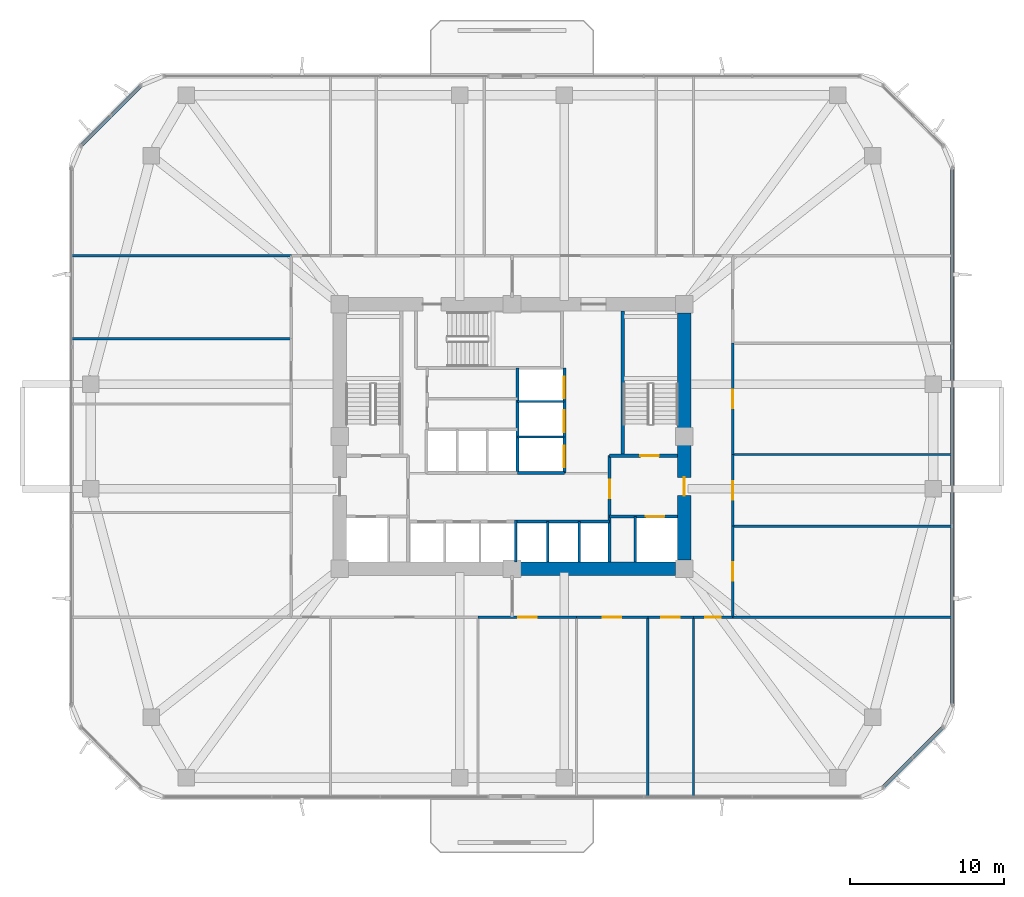
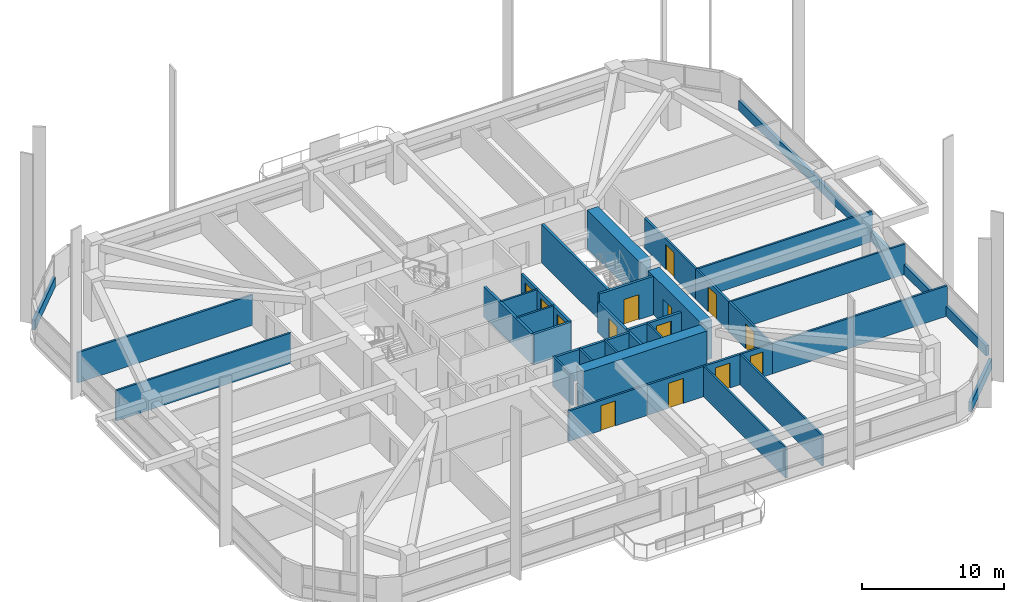
# One storey, part 10 of 17: 34 walls, 14 doors, 14 openings.
"""IFC4 building model written with IfcOpenShell, lengths in metres."""

from ifc_helpers import new_model, si_unit, derived_unit, direction, frame, frame_2d, origin, place, context, subcontext, project, spatial, rectangle, extrude, material, layer, layer_set, type_object, element, fill, save


model = new_model("IFC4")

# Units and contexts
model_context = context("Model", 3, precision=1e-05, world=origin(), true_north=direction((0.0, 1.0)))
body_context = subcontext(model_context, "Body", "Model", "MODEL_VIEW")
ifc_project = project(units=[si_unit("LENGTHUNIT", "METRE"), si_unit("AREAUNIT", "SQUARE_METRE"), si_unit("VOLUMEUNIT", "CUBIC_METRE"), si_unit("PLANEANGLEUNIT", "RADIAN"), si_unit("MASSUNIT", "GRAM", prefix="KILO"), derived_unit("THERMALTRANSMITTANCEUNIT", [(si_unit("POWERUNIT", "WATT"), 1), (si_unit("LENGTHUNIT", "METRE"), -2), (si_unit("THERMODYNAMICTEMPERATUREUNIT", "KELVIN"), -1)])], contexts=[model_context])

# Site, building, storey
site_placement = place(None, origin())
site = spatial("IfcSite", under=ifc_project, at=site_placement, CompositionType="ELEMENT")
building_placement = place(site_placement, origin())
building = spatial("IfcBuilding", under=site, at=building_placement, Name="Koralith Skygarden Medical Center", CompositionType="ELEMENT")
storey_placement = place(building_placement, frame((0.0, 0.0, 38.340087890625)))
storey = spatial("IfcBuildingStorey", under=building, at=storey_placement, Name="L09", CompositionType="ELEMENT", Elevation=38.340087890625)

# Walls
ifc_material_1 = material(Name="Gypsum Board Partition")
ifc_layer_1 = layer(ifc_material_1, 0.14990234375)
ifc_layer_set_1 = layer_set([ifc_layer_1], Name="Gypsum Board Partition")
wall_type_1 = type_object("IfcWallType", Name="Clinical Acoustic Partition 150", PredefinedType="PARTITIONING", material=ifc_layer_set_1)
for number, where, z_axis, x_axis, name in (
    (1, (45.825927734375, 14.14990234375, 0.0), (0.0, 0.0, 1.0), (0.0, -1.0, 0.0), "L09 Clinical Acoustic Partition 150 W-PART-L09-S-04"),
    (2, (48.800048828125, 14.14990234375, 0.0), (0.0, 0.0, 1.0), (0.0, -1.0, 0.0), "L09 Clinical Acoustic Partition 150 W-PART-L09-S-05"),
):
    element("IfcWall", number, at=place(storey_placement, frame(where, z_axis=z_axis, x_axis=x_axis)), inside=storey, type_object=wall_type_1, Name=name, PredefinedType="PARTITIONING", context=body_context, shape_type="SweptSolid", body=[
        extrude(rectangle(XDim=11.64990234375, YDim=0.14990234375, at=frame_2d((5.824951171875, 0.0))), origin(), (0.0, 0.0, 1.0), 2.60986328125),
    ])
for number, where, z_axis, x_axis, name in (
    (3, (22.64990234375, 32.25390625, 0.0), (0.0, 0.0, 1.0), (-1.0, 0.0, 0.0), "L09 Clinical Acoustic Partition 150 W-PART-L09-W-03"),
    (4, (51.35009765625, 20.072021484375, 0.0), (0.0, 0.0, 1.0), (1.0, 0.0, 0.0), "L09 Clinical Acoustic Partition 150 W-PART-L09-E-01"),
    (5, (51.35009765625, 24.72509765625, 0.0), (0.0, 0.0, 1.0), (1.0, 0.0, 0.0), "L09 Clinical Acoustic Partition 150 W-PART-L09-E-02"),
):
    element("IfcWall", number, at=place(storey_placement, frame(where, z_axis=z_axis, x_axis=x_axis)), inside=storey, type_object=wall_type_1, Name=name, PredefinedType="PARTITIONING", context=body_context, shape_type="SweptSolid", body=[
        extrude(rectangle(XDim=14.25, YDim=0.14990234375, at=frame_2d((7.125, 0.0))), origin(), (0.0, 0.0, 1.0), 2.60986328125),
    ])
ifc_layer_2 = layer(ifc_material_1, 0.1650390625)
ifc_layer_set_2 = layer_set([ifc_layer_2], Name="Gypsum Board Partition")
wall_type_2 = type_object("IfcWallType", Name="Clinical Corridor Partition 165", PredefinedType="PARTITIONING", material=ifc_layer_set_2)
for number, where, z_axis, x_axis, name in (
    (6, (8.39990234375, 37.64990234375, 0.0), (0.0, 0.0, 1.0), (1.0, 0.0, 0.0), "L09 Clinical Corridor Partition 165 W-WB-L09-NW"),
    (7, (51.35009765625, 14.14990234375, 0.0), (0.0, 0.0, 1.0), (1.0, 0.0, 0.0), "L09 Clinical Corridor Partition 165 W-WB-L09-SE"),
):
    element("IfcWall", number, at=place(storey_placement, frame(where, z_axis=z_axis, x_axis=x_axis)), inside=storey, type_object=wall_type_2, Name=name, PredefinedType="PARTITIONING", context=body_context, shape_type="SweptSolid", body=[
        extrude(rectangle(XDim=14.25, YDim=0.1650390625, at=frame_2d((7.125, 0.0))), origin(), (0.0, 0.0, 1.0), 2.60986328125),
    ])

# Wall, opening, door
wall_1_placement = place(storey_placement, frame((34.7939453125, 14.14990234375, 0.0), z_axis=(0.0, 0.0, 1.0), x_axis=(1.0, 0.0, 0.0)))
wall_1 = element("IfcWall", 8, at=wall_1_placement, inside=storey, type_object=wall_type_2, Name="L09 Clinical Corridor Partition 165 W-CORR-L09-S-03", PredefinedType="PARTITIONING", context=body_context, shape_type="SweptSolid", body=[
    extrude(rectangle(XDim=6.399169921875, YDim=0.1650390625, at=frame_2d((3.19970703125, 0.0))), origin(), (0.0, 0.0, 1.0), 2.60986328125),
])
opening_1_placement = place(wall_1_placement, frame((2.60009765625, 0.0, 0.0)))
opening_1 = element("IfcOpeningElement", 9, at=opening_1_placement, cuts=wall_1, Name="Opening D-CLN", PredefinedType="OPENING", context=body_context, shape_type="SweptSolid", body=[
    extrude(rectangle(XDim=1.199951171875, YDim=2.14990234375, at=frame_2d((0.60009765625, 1.074951171875))), frame((0.0, 0.092529296875, 0.0), z_axis=(0.0, -1.0, 0.0), x_axis=(1.0, 0.0, 0.0)), (0.0, 0.0, 1.0), 0.18505859375),
])
ifc_material_2 = material(Name="Aluminium 6063-T6", Category="aluminium")
door_type_1 = type_object("IfcDoorType", Name="Clinical Corridor Door D-CLN 1200", OperationType="NOTDEFINED", PredefinedType="DOOR", material=ifc_material_2)
door_1_placement = place(opening_1_placement, frame((1.199951171875, 0.0, 0.0), z_axis=(0.0, 0.0, 1.0), x_axis=(-1.0, 0.0, 0.0)))
door_1 = element("IfcDoor", 10, at=door_1_placement, inside=storey, type_object=door_type_1, Name="L09 Patient and Family Sky-Garden Day Lounge 09 Door", OperationType="SINGLE_SWING_RIGHT", OverallHeight=2.14990234375, OverallWidth=1.199951171875, PredefinedType="DOOR", context=body_context, shape_type="SweptSolid", body=[
    extrude(rectangle(XDim=1.199951171875, YDim=2.14990234375, at=frame_2d((0.60009765625, 1.074951171875))), frame((0.0, 0.02490234375, 0.0), z_axis=(0.0, -1.0, 0.0), x_axis=(1.0, 0.0, 0.0)), (0.0, 0.0, 1.0), 0.050048828125),
])
fill(opening_1, door_1)

wall_2_placement = place(storey_placement, frame((41.193115234375, 14.14990234375, 0.0), z_axis=(0.0, 0.0, 1.0), x_axis=(1.0, 0.0, 0.0)))
wall_2 = element("IfcWall", 11, at=wall_2_placement, inside=storey, type_object=wall_type_2, Name="L09 Clinical Corridor Partition 165 W-CORR-L09-S-04", PredefinedType="PARTITIONING", context=body_context, shape_type="SweptSolid", body=[
    extrude(rectangle(XDim=4.6328125, YDim=0.1650390625, at=frame_2d((2.31640625, 0.0))), origin(), (0.0, 0.0, 1.0), 2.60986328125),
])
opening_2_placement = place(wall_2_placement, frame((1.717041015625, 0.0, 0.0)))
opening_2 = element("IfcOpeningElement", 12, at=opening_2_placement, cuts=wall_2, Name="Opening D-CLN", PredefinedType="OPENING", context=body_context, shape_type="SweptSolid", body=[
    extrude(rectangle(XDim=1.199951171875, YDim=2.14990234375, at=frame_2d((0.60009765625, 1.074951171875))), frame((0.0, 0.092529296875, 0.0), z_axis=(0.0, -1.0, 0.0), x_axis=(1.0, 0.0, 0.0)), (0.0, 0.0, 1.0), 0.18505859375),
])
door_2_placement = place(opening_2_placement, frame((1.199951171875, 0.0, 0.0), z_axis=(0.0, 0.0, 1.0), x_axis=(-1.0, 0.0, 0.0)))
door_2 = element("IfcDoor", 13, at=door_2_placement, inside=storey, type_object=door_type_1, Name="L09 Clinical Consultation Office 10 Door", OperationType="SINGLE_SWING_LEFT", OverallHeight=2.14990234375, OverallWidth=1.199951171875, PredefinedType="DOOR", context=body_context, shape_type="SweptSolid", body=[
    extrude(rectangle(XDim=1.199951171875, YDim=2.14990234375, at=frame_2d((0.60009765625, 1.074951171875))), frame((0.0, 0.02490234375, 0.0), z_axis=(0.0, -1.0, 0.0), x_axis=(1.0, 0.0, 0.0)), (0.0, 0.0, 1.0), 0.050048828125),
])
fill(opening_2, door_2)

wall_3_placement = place(storey_placement, frame((45.825927734375, 14.14990234375, 0.0), z_axis=(0.0, 0.0, 1.0), x_axis=(1.0, 0.0, 0.0)))
wall_3 = element("IfcWall", 14, at=wall_3_placement, inside=storey, type_object=wall_type_2, Name="L09 Clinical Corridor Partition 165 W-CORR-L09-S-05", PredefinedType="PARTITIONING", context=body_context, shape_type="SweptSolid", body=[
    extrude(rectangle(XDim=2.97412109375, YDim=0.1650390625, at=frame_2d((1.487060546875, 0.0))), origin(), (0.0, 0.0, 1.0), 2.60986328125),
])
opening_3_placement = place(wall_3_placement, frame((0.886962890625, 0.0, 0.0)))
opening_3 = element("IfcOpeningElement", 15, at=opening_3_placement, cuts=wall_3, Name="Opening D-CLN", PredefinedType="OPENING", context=body_context, shape_type="SweptSolid", body=[
    extrude(rectangle(XDim=1.199951171875, YDim=2.14990234375, at=frame_2d((0.60009765625, 1.074951171875))), frame((0.0, 0.092529296875, 0.0), z_axis=(0.0, -1.0, 0.0), x_axis=(1.0, 0.0, 0.0)), (0.0, 0.0, 1.0), 0.18505859375),
])
door_3_placement = place(opening_3_placement, frame((1.199951171875, 0.0, 0.0), z_axis=(0.0, 0.0, 1.0), x_axis=(-1.0, 0.0, 0.0)))
door_3 = element("IfcDoor", 16, at=door_3_placement, inside=storey, type_object=door_type_1, Name="L09 Ward Mobility Therapy Exercise Hall 11 Door", OperationType="SINGLE_SWING_RIGHT", OverallHeight=2.14990234375, OverallWidth=1.199951171875, PredefinedType="DOOR", context=body_context, shape_type="SweptSolid", body=[
    extrude(rectangle(XDim=1.199951171875, YDim=2.14990234375, at=frame_2d((0.60009765625, 1.074951171875))), frame((0.0, 0.02490234375, 0.0), z_axis=(0.0, -1.0, 0.0), x_axis=(1.0, 0.0, 0.0)), (0.0, 0.0, 1.0), 0.050048828125),
])
fill(opening_3, door_3)

wall_4_placement = place(storey_placement, frame((48.800048828125, 14.14990234375, 0.0), z_axis=(0.0, 0.0, 1.0), x_axis=(1.0, 0.0, 0.0)))
wall_4 = element("IfcWall", 17, at=wall_4_placement, inside=storey, type_object=wall_type_2, Name="L09 Clinical Corridor Partition 165 W-CORR-L09-S-06", PredefinedType="PARTITIONING", context=body_context, shape_type="SweptSolid", body=[
    extrude(rectangle(XDim=2.550048828125, YDim=0.1650390625, at=frame_2d((1.27490234375, 0.0))), origin(), (0.0, 0.0, 1.0), 2.60986328125),
])
opening_4_placement = place(wall_4_placement, frame((0.77490234375, 0.0, 0.0)))
opening_4 = element("IfcOpeningElement", 18, at=opening_4_placement, cuts=wall_4, Name="Opening D-SUP", PredefinedType="OPENING", context=body_context, shape_type="SweptSolid", body=[
    extrude(rectangle(XDim=1.0, YDim=2.14990234375, at=frame_2d((0.5, 1.074951171875))), frame((0.0, 0.092529296875, 0.0), z_axis=(0.0, -1.0, 0.0), x_axis=(1.0, 0.0, 0.0)), (0.0, 0.0, 1.0), 0.18505859375),
])
door_type_2 = type_object("IfcDoorType", Name="Clinical Support Door D-SUP 1000", OperationType="NOTDEFINED", PredefinedType="DOOR", material=ifc_material_2)
door_4_placement = place(opening_4_placement, frame((1.0, 0.0, 0.0), z_axis=(0.0, 0.0, 1.0), x_axis=(-1.0, 0.0, 0.0)))
door_4 = element("IfcDoor", 19, at=door_4_placement, inside=storey, type_object=door_type_2, Name="L09 Multidisciplinary Clinical Conference Room 12 Door", OperationType="SINGLE_SWING_LEFT", OverallHeight=2.14990234375, OverallWidth=1.0, PredefinedType="DOOR", context=body_context, shape_type="SweptSolid", body=[
    extrude(rectangle(XDim=1.0, YDim=2.14990234375, at=frame_2d((0.5, 1.074951171875))), frame((0.0, 0.02490234375, 0.0), z_axis=(0.0, -1.0, 0.0), x_axis=(1.0, 0.0, 0.0)), (0.0, 0.0, 1.0), 0.050048828125),
])
fill(opening_4, door_4)

wall_5_placement = place(storey_placement, frame((51.35009765625, 14.14990234375, 0.0), z_axis=(0.0, 0.0, 1.0), x_axis=(0.0, 1.0, 0.0)))
wall_5 = element("IfcWall", 20, at=wall_5_placement, inside=storey, type_object=wall_type_2, Name="L09 Clinical Corridor Partition 165 W-CORR-L09-E-01", PredefinedType="PARTITIONING", context=body_context, shape_type="SweptSolid", body=[
    extrude(rectangle(XDim=5.922119140625, YDim=0.1650390625, at=frame_2d((2.9609375, 0.0))), origin(), (0.0, 0.0, 1.0), 2.60986328125),
])
opening_5_placement = place(wall_5_placement, frame((2.361083984375, 0.0, 0.0)))
opening_5 = element("IfcOpeningElement", 21, at=opening_5_placement, cuts=wall_5, Name="Opening D-CLN", PredefinedType="OPENING", context=body_context, shape_type="SweptSolid", body=[
    extrude(rectangle(XDim=1.199951171875, YDim=2.14990234375, at=frame_2d((0.60009765625, 1.074951171875))), frame((0.0, 0.092529296875, 0.0), z_axis=(0.0, -1.0, 0.0), x_axis=(1.0, 0.0, 0.0)), (0.0, 0.0, 1.0), 0.18505859375),
])
door_5_placement = place(opening_5_placement, origin())
door_5 = element("IfcDoor", 22, at=door_5_placement, inside=storey, type_object=door_type_1, Name="L09 Multidisciplinary Huddle Room 17 Door", OperationType="SINGLE_SWING_RIGHT", OverallHeight=2.14990234375, OverallWidth=1.199951171875, PredefinedType="DOOR", context=body_context, shape_type="SweptSolid", body=[
    extrude(rectangle(XDim=1.199951171875, YDim=2.14990234375, at=frame_2d((0.60009765625, 1.074951171875))), frame((0.0, 0.02490234375, 0.0), z_axis=(0.0, -1.0, 0.0), x_axis=(1.0, 0.0, 0.0)), (0.0, 0.0, 1.0), 0.050048828125),
])
fill(opening_5, door_5)

wall_6_placement = place(storey_placement, frame((51.35009765625, 20.072021484375, 0.0), z_axis=(0.0, 0.0, 1.0), x_axis=(0.0, 1.0, 0.0)))
wall_6 = element("IfcWall", 23, at=wall_6_placement, inside=storey, type_object=wall_type_2, Name="L09 Clinical Corridor Partition 165 W-CORR-L09-E-02", PredefinedType="PARTITIONING", context=body_context, shape_type="SweptSolid", body=[
    extrude(rectangle(XDim=4.653076171875, YDim=0.1650390625, at=frame_2d((2.32666015625, 0.0))), origin(), (0.0, 0.0, 1.0), 2.60986328125),
])
opening_6_placement = place(wall_6_placement, frame((1.72705078125, 0.0, 0.0)))
opening_6 = element("IfcOpeningElement", 24, at=opening_6_placement, cuts=wall_6, Name="Opening D-CLN", PredefinedType="OPENING", context=body_context, shape_type="SweptSolid", body=[
    extrude(rectangle(XDim=1.199951171875, YDim=2.14990234375, at=frame_2d((0.60009765625, 1.074951171875))), frame((0.0, 0.092529296875, 0.0), z_axis=(0.0, -1.0, 0.0), x_axis=(1.0, 0.0, 0.0)), (0.0, 0.0, 1.0), 0.18505859375),
])
door_6_placement = place(opening_6_placement, origin())
door_6 = element("IfcDoor", 25, at=door_6_placement, inside=storey, type_object=door_type_1, Name="L09 Clinical Consultation Office 18 Door", OperationType="SINGLE_SWING_LEFT", OverallHeight=2.14990234375, OverallWidth=1.199951171875, PredefinedType="DOOR", context=body_context, shape_type="SweptSolid", body=[
    extrude(rectangle(XDim=1.199951171875, YDim=2.14990234375, at=frame_2d((0.60009765625, 1.074951171875))), frame((0.0, 0.02490234375, 0.0), z_axis=(0.0, -1.0, 0.0), x_axis=(1.0, 0.0, 0.0)), (0.0, 0.0, 1.0), 0.050048828125),
])
fill(opening_6, door_6)

wall_7_placement = place(storey_placement, frame((51.35009765625, 24.72509765625, 0.0), z_axis=(0.0, 0.0, 1.0), x_axis=(0.0, 1.0, 0.0)))
wall_7 = element("IfcWall", 26, at=wall_7_placement, inside=storey, type_object=wall_type_2, Name="L09 Clinical Corridor Partition 165 W-CORR-L09-E-03", PredefinedType="PARTITIONING", context=body_context, shape_type="SweptSolid", body=[
    extrude(rectangle(XDim=7.23779296875, YDim=0.1650390625, at=frame_2d((3.618896484375, 0.0))), origin(), (0.0, 0.0, 1.0), 2.60986328125),
])
opening_7_placement = place(wall_7_placement, frame((3.01904296875, 0.0, 0.0)))
opening_7 = element("IfcOpeningElement", 27, at=opening_7_placement, cuts=wall_7, Name="Opening D-CLN", PredefinedType="OPENING", context=body_context, shape_type="SweptSolid", body=[
    extrude(rectangle(XDim=1.199951171875, YDim=2.14990234375, at=frame_2d((0.60009765625, 1.074951171875))), frame((0.0, 0.092529296875, 0.0), z_axis=(0.0, -1.0, 0.0), x_axis=(1.0, 0.0, 0.0)), (0.0, 0.0, 1.0), 0.18505859375),
])
door_7_placement = place(opening_7_placement, origin())
door_7 = element("IfcDoor", 28, at=door_7_placement, inside=storey, type_object=door_type_1, Name="L09 Ward Mobility Therapy Exercise Hall 19 Door", OperationType="SINGLE_SWING_RIGHT", OverallHeight=2.14990234375, OverallWidth=1.199951171875, PredefinedType="DOOR", context=body_context, shape_type="SweptSolid", body=[
    extrude(rectangle(XDim=1.199951171875, YDim=2.14990234375, at=frame_2d((0.60009765625, 1.074951171875))), frame((0.0, 0.02490234375, 0.0), z_axis=(0.0, -1.0, 0.0), x_axis=(1.0, 0.0, 0.0)), (0.0, 0.0, 1.0), 0.050048828125),
])
fill(opening_7, door_7)

ifc_layer_3 = layer(ifc_material_1, 0.199951171875)
ifc_layer_set_3 = layer_set([ifc_layer_3], Name="Gypsum Board Partition")
wall_type_3 = type_object("IfcWallType", Name="Fire Shaft Wall 200", PredefinedType="SOLIDWALL", material=ifc_layer_set_3)
wall_8_placement = place(storey_placement, frame((43.35009765625, 20.699951171875, 0.0), z_axis=(0.0, 0.0, 1.0), x_axis=(1.0, 0.0, 0.0)))
wall_8 = element("IfcWall", 29, at=wall_8_placement, inside=storey, type_object=wall_type_3, Name="L09 Fire Shaft Wall 200 W-CORE-L09-FF2-N", PredefinedType="SOLIDWALL", context=body_context, shape_type="SweptSolid", body=[
    extrude(rectangle(XDim=4.39990234375, YDim=0.199951171875, at=frame_2d((2.199951171875, 0.0))), origin(), (0.0, 0.0, 1.0), 2.60986328125),
])
opening_8_placement = place(wall_8_placement, frame((2.35009765625, 0.0, 0.0)))
opening_8 = element("IfcOpeningElement", 30, at=opening_8_placement, cuts=wall_8, Name="Opening LD-FF", PredefinedType="OPENING", context=body_context, shape_type="SweptSolid", body=[
    extrude(rectangle(XDim=1.199951171875, YDim=2.14990234375, at=frame_2d((0.60009765625, 1.074951171875))), frame((0.0, 0.10986328125, 0.0), z_axis=(0.0, -1.0, 0.0), x_axis=(1.0, 0.0, 0.0)), (0.0, 0.0, 1.0), 0.219970703125),
])
ifc_material_3 = material(Name="Steel ASTM A500 Grade C", Category="steel")
door_type_3 = type_object("IfcDoorType", Name="Fire Lift Sliding Landing Door LD-FF 1200", OperationType="NOTDEFINED", PredefinedType="DOOR", material=ifc_material_3)
door_8_placement = place(opening_8_placement, origin())
door_8 = element("IfcDoor", 31, at=door_8_placement, inside=storey, type_object=door_type_3, Name="L09 Fire Service Elevator FF2 Landing Door", OperationType="SLIDING_TO_RIGHT", OverallHeight=2.14990234375, OverallWidth=1.199951171875, PredefinedType="DOOR", context=body_context, shape_type="SweptSolid", body=[
    extrude(rectangle(XDim=1.199951171875, YDim=2.14990234375, at=frame_2d((0.60009765625, 1.074951171875))), frame((0.0, 0.02490234375, 0.0), z_axis=(0.0, -1.0, 0.0), x_axis=(1.0, 0.0, 0.0)), (0.0, 0.0, 1.0), 0.050048828125),
])
fill(opening_8, door_8)

wall_9_placement = place(storey_placement, frame((43.35009765625, 17.75, 0.0), z_axis=(0.0, 0.0, 1.0), x_axis=(0.0, 1.0, 0.0)))
wall_9 = element("IfcWall", 32, at=wall_9_placement, inside=storey, type_object=wall_type_3, Name="L09 Fire Shaft Wall 200 W-CORE-L09-FSAEE-W", PredefinedType="SOLIDWALL", context=body_context, shape_type="SweptSolid", body=[
    extrude(rectangle(XDim=6.89990234375, YDim=0.199951171875, at=frame_2d((3.449951171875, 0.0))), origin(), (0.0, 0.0, 1.0), 2.60986328125),
])
opening_9_placement = place(wall_9_placement, frame((4.14990234375, 0.0, 0.0)))
opening_9 = element("IfcOpeningElement", 33, at=opening_9_placement, cuts=wall_9, Name="Opening D-ST60", PredefinedType="OPENING", context=body_context, shape_type="SweptSolid", body=[
    extrude(rectangle(XDim=1.199951171875, YDim=2.14990234375, at=frame_2d((0.60009765625, 1.074951171875))), frame((0.0, 0.10986328125, 0.0), z_axis=(0.0, -1.0, 0.0), x_axis=(1.0, 0.0, 0.0)), (0.0, 0.0, 1.0), 0.219970703125),
])
door_type_4 = type_object("IfcDoorType", Name="Smokeproof Stair Fire Door FD60S 1200", OperationType="NOTDEFINED", PredefinedType="DOOR", material=ifc_material_3)
door_9_placement = place(opening_9_placement, frame((1.199951171875, 0.0, 0.0), z_axis=(0.0, 0.0, 1.0), x_axis=(-1.0, 0.0, 0.0)))
door_9 = element("IfcDoor", 34, at=door_9_placement, inside=storey, type_object=door_type_4, Name="L09 East Firefighting Lobby Inner Fire Door", OperationType="SINGLE_SWING_RIGHT", OverallHeight=2.14990234375, OverallWidth=1.199951171875, PredefinedType="DOOR", context=body_context, shape_type="SweptSolid", body=[
    extrude(rectangle(XDim=1.199951171875, YDim=2.14990234375, at=frame_2d((0.60009765625, 1.074951171875))), frame((0.0, 0.02490234375, 0.0), z_axis=(0.0, -1.0, 0.0), x_axis=(1.0, 0.0, 0.0)), (0.0, 0.0, 1.0), 0.050048828125),
])
fill(opening_9, door_9)

# Walls
wall_10_placement = place(storey_placement, frame((37.25, 20.360107421875, 0.0), z_axis=(0.0, 0.0, 1.0), x_axis=(1.0, 0.0, 0.0)))
element("IfcWall", 35, at=wall_10_placement, inside=storey, type_object=wall_type_3, Name="L09 Fire Shaft Wall 200 W-CORE-L09-PM-N", PredefinedType="SOLIDWALL", context=body_context, shape_type="SweptSolid", body=[
    extrude(rectangle(XDim=6.10009765625, YDim=0.199951171875, at=frame_2d((3.050048828125, 0.0))), origin(), (0.0, 0.0, 1.0), 2.60986328125),
])
wall_11_placement = place(storey_placement, frame((37.35009765625, 23.5400390625, 0.0), z_axis=(0.0, 0.0, 1.0), x_axis=(0.0, 1.0, 0.0)))
element("IfcWall", 36, at=wall_11_placement, inside=storey, type_object=wall_type_3, Name="L09 Fire Shaft Wall 200 W-CORE-L09-SV-W", PredefinedType="SOLIDWALL", context=body_context, shape_type="SweptSolid", body=[
    extrude(rectangle(XDim=6.820068359375, YDim=0.199951171875, at=frame_2d((3.41015625, 0.0))), origin(), (0.0, 0.0, 1.0), 2.60986328125),
])
wall_12_placement = place(storey_placement, frame((37.35009765625, 23.5400390625, 0.0), z_axis=(0.0, 0.0, 1.0), x_axis=(1.0, 0.0, 0.0)))
element("IfcWall", 37, at=wall_12_placement, inside=storey, type_object=wall_type_3, Name="L09 Fire Shaft Wall 200 W-CORE-L09-SV-S", PredefinedType="SOLIDWALL", context=body_context, shape_type="SweptSolid", body=[
    extrude(rectangle(XDim=3.0498046875, YDim=0.199951171875, at=frame_2d((1.52490234375, 0.0))), origin(), (0.0, 0.0, 1.0), 2.60986328125),
])

# Wall, openings, doors
wall_13_placement = place(storey_placement, frame((40.39990234375, 23.5400390625, 0.0), z_axis=(0.0, 0.0, 1.0), x_axis=(0.0, 1.0, 0.0)))
wall_13 = element("IfcWall", 38, at=wall_13_placement, inside=storey, type_object=wall_type_3, Name="L09 Fire Shaft Wall 200 W-CORE-L09-SV-E", PredefinedType="SOLIDWALL", context=body_context, shape_type="SweptSolid", body=[
    extrude(rectangle(XDim=6.820068359375, YDim=0.199951171875, at=frame_2d((3.41015625, 0.0))), origin(), (0.0, 0.0, 1.0), 2.60986328125),
])
opening_10_placement = place(wall_13_placement, frame((0.35009765625, 0.0, 0.0)))
opening_10 = element("IfcOpeningElement", 39, at=opening_10_placement, cuts=wall_13, Name="Opening LD-SV", PredefinedType="OPENING", context=body_context, shape_type="SweptSolid", body=[
    extrude(rectangle(XDim=1.39990234375, YDim=2.199951171875, at=frame_2d((0.699951171875, 1.10009765625))), frame((0.0, 0.10986328125, 0.0), z_axis=(0.0, -1.0, 0.0), x_axis=(1.0, 0.0, 0.0)), (0.0, 0.0, 1.0), 0.219970703125),
])
opening_11_placement = place(wall_13_placement, frame((2.64990234375, 0.0, 0.0)))
opening_11 = element("IfcOpeningElement", 40, at=opening_11_placement, cuts=wall_13, Name="Opening LD-SV", PredefinedType="OPENING", context=body_context, shape_type="SweptSolid", body=[
    extrude(rectangle(XDim=1.39990234375, YDim=2.199951171875, at=frame_2d((0.699951171875, 1.10009765625))), frame((0.0, 0.10986328125, 0.0), z_axis=(0.0, -1.0, 0.0), x_axis=(1.0, 0.0, 0.0)), (0.0, 0.0, 1.0), 0.219970703125),
])
opening_12_placement = place(wall_13_placement, frame((4.85009765625, 0.0, 0.0)))
opening_12 = element("IfcOpeningElement", 41, at=opening_12_placement, cuts=wall_13, Name="Opening LD-SV", PredefinedType="OPENING", context=body_context, shape_type="SweptSolid", body=[
    extrude(rectangle(XDim=1.39990234375, YDim=2.199951171875, at=frame_2d((0.699951171875, 1.10009765625))), frame((0.0, 0.10986328125, 0.0), z_axis=(0.0, -1.0, 0.0), x_axis=(1.0, 0.0, 0.0)), (0.0, 0.0, 1.0), 0.219970703125),
])
door_type_5 = type_object("IfcDoorType", Name="Bed Lift Sliding Landing Door LD-SV 1400", OperationType="NOTDEFINED", PredefinedType="DOOR", material=ifc_material_3)
door_10_placement = place(opening_10_placement, origin())
door_10 = element("IfcDoor", 42, at=door_10_placement, inside=storey, type_object=door_type_5, Name="L09 Bed Elevator BD1 Landing Door", OperationType="SLIDING_TO_LEFT", OverallHeight=2.199951171875, OverallWidth=1.39990234375, PredefinedType="DOOR", context=body_context, shape_type="SweptSolid", body=[
    extrude(rectangle(XDim=1.39990234375, YDim=2.199951171875, at=frame_2d((0.699951171875, 1.10009765625))), frame((0.0, 0.02490234375, 0.0), z_axis=(0.0, -1.0, 0.0), x_axis=(1.0, 0.0, 0.0)), (0.0, 0.0, 1.0), 0.050048828125),
])
fill(opening_10, door_10)
door_11_placement = place(opening_11_placement, origin())
door_11 = element("IfcDoor", 43, at=door_11_placement, inside=storey, type_object=door_type_5, Name="L09 Service Elevator BD2 Landing Door", OperationType="SLIDING_TO_LEFT", OverallHeight=2.199951171875, OverallWidth=1.39990234375, PredefinedType="DOOR", context=body_context, shape_type="SweptSolid", body=[
    extrude(rectangle(XDim=1.39990234375, YDim=2.199951171875, at=frame_2d((0.699951171875, 1.10009765625))), frame((0.0, 0.02490234375, 0.0), z_axis=(0.0, -1.0, 0.0), x_axis=(1.0, 0.0, 0.0)), (0.0, 0.0, 1.0), 0.050048828125),
])
fill(opening_11, door_11)
door_12_placement = place(opening_12_placement, origin())
door_12 = element("IfcDoor", 44, at=door_12_placement, inside=storey, type_object=door_type_5, Name="L09 Trauma Elevator TR1 Landing Door", OperationType="SLIDING_TO_RIGHT", OverallHeight=2.199951171875, OverallWidth=1.39990234375, PredefinedType="DOOR", context=body_context, shape_type="SweptSolid", body=[
    extrude(rectangle(XDim=1.39990234375, YDim=2.199951171875, at=frame_2d((0.699951171875, 1.10009765625))), frame((0.0, 0.02490234375, 0.0), z_axis=(0.0, -1.0, 0.0), x_axis=(1.0, 0.0, 0.0)), (0.0, 0.0, 1.0), 0.050048828125),
])
fill(opening_12, door_12)

# Walls
ifc_material_4 = material(Name="Warm Oolitic Limestone Cladding", Category="masonry")
ifc_layer_4 = layer(ifc_material_4, 0.239990234375)
ifc_layer_set_4 = layer_set([ifc_layer_4], Name="Warm Oolitic Limestone Cladding")
wall_type_4 = type_object("IfcWallType", Name="Limestone Spandrel Sill Backup Wall 240", PredefinedType="SOLIDWALL", material=ifc_layer_set_4)
wall_14_placement = place(storey_placement, frame((61.095947265625, 3.0810546875, 0.0), z_axis=(0.0, 0.0, 1.0), x_axis=(0.707128783731, 0.707084777957, 0.0)))
element("IfcWall", 45, at=wall_14_placement, inside=storey, type_object=wall_type_4, Name="L09 Sill Spandrel SE", PredefinedType="SOLIDWALL", context=body_context, shape_type="SweptSolid", body=[
    extrude(rectangle(XDim=5.5478515625, YDim=0.239990234375, at=frame_2d((2.77392578125, 0.0))), origin(), (0.0, 0.0, 1.0), 0.849853515625),
])
wall_15_placement = place(storey_placement, frame((65.6201171875, 8.455078125, 0.0), z_axis=(0.0, 0.0, 1.0), x_axis=(0.0, 1.0, 0.0)))
element("IfcWall", 46, at=wall_15_placement, inside=storey, type_object=wall_type_4, Name="L09 Sill Spandrel E", PredefinedType="SOLIDWALL", context=body_context, shape_type="SweptSolid", body=[
    extrude(rectangle(XDim=34.889892578125, YDim=0.239990234375, at=frame_2d((17.44482421875, 0.0))), origin(), (0.0, 0.0, 1.0), 0.849853515625),
])
wall_16_placement = place(storey_placement, frame((12.904052734375, 48.718994140625, 0.0), z_axis=(0.0, 0.0, 1.0), x_axis=(-0.707106781187, -0.707106781187, 0.0)))
element("IfcWall", 47, at=wall_16_placement, inside=storey, type_object=wall_type_4, Name="L09 Sill Spandrel NW", PredefinedType="SOLIDWALL", context=body_context, shape_type="SweptSolid", body=[
    extrude(rectangle(XDim=5.548095703125, YDim=0.239990234375, at=frame_2d((2.77392578125, 0.0))), origin(), (0.0, 0.0, 1.0), 0.849853515625),
])
ifc_material_5 = material(Name="Concrete C70/85", Category="concrete")
ifc_layer_5 = layer(ifc_material_5, 0.89990234375)
ifc_layer_set_5 = layer_set([ifc_layer_5], Name="Concrete C70/85")
wall_type_5 = type_object("IfcWallType", Name="Lower Core Shear Wall 900", PredefinedType="SHEAR", material=ifc_layer_set_5)
wall_17_placement = place(storey_placement, frame((37.56494140625, 17.300048828125, 0.0), z_axis=(0.0, 0.0, 1.0), x_axis=(1.0, 0.0, 0.0)))
element("IfcWall", 48, at=wall_17_placement, inside=storey, type_object=wall_type_5, Name="L09 Core Shear Wall Segment 2", PredefinedType="SHEAR", context=body_context, shape_type="SweptSolid", body=[
    extrude(rectangle(XDim=10.070068359375, YDim=0.89990234375, at=frame_2d((5.03515625, 0.0))), origin(), (0.0, 0.0, 1.0), 3.31982421875),
])

# Wall, opening, door
wall_18_placement = place(storey_placement, frame((48.199951171875, 17.864990234375, 0.0), z_axis=(0.0, 0.0, 1.0), x_axis=(0.0, 1.0, 0.0)))
wall_18 = element("IfcWall", 49, at=wall_18_placement, inside=storey, type_object=wall_type_5, Name="L09 Core Shear Wall Segment 3", PredefinedType="SHEAR", context=body_context, shape_type="SweptSolid", body=[
    extrude(rectangle(XDim=7.469970703125, YDim=0.89990234375, at=frame_2d((3.73486328125, 0.0))), origin(), (0.0, 0.0, 1.0), 3.31982421875),
])
opening_13_placement = place(wall_18_placement, frame((4.18505859375, 0.0, 0.0)))
opening_13 = element("IfcOpeningElement", 50, at=opening_13_placement, cuts=wall_18, Name="Opening D-ST60", PredefinedType="OPENING", context=body_context, shape_type="SweptSolid", body=[
    extrude(rectangle(XDim=1.199951171875, YDim=2.14990234375, at=frame_2d((0.60009765625, 1.074951171875))), frame((0.0, 0.4599609375, 0.0), z_axis=(0.0, -1.0, 0.0), x_axis=(1.0, 0.0, 0.0)), (0.0, 0.0, 1.0), 0.919921875),
])
door_13_placement = place(opening_13_placement, frame((1.199951171875, 0.0, 0.0), z_axis=(0.0, 0.0, 1.0), x_axis=(-1.0, 0.0, 0.0)))
door_13 = element("IfcDoor", 51, at=door_13_placement, inside=storey, type_object=door_type_4, Name="L09 East Corridor to Firefighting Lobby Door", OperationType="SINGLE_SWING_RIGHT", OverallHeight=2.14990234375, OverallWidth=1.199951171875, PredefinedType="DOOR", context=body_context, shape_type="SweptSolid", body=[
    extrude(rectangle(XDim=1.199951171875, YDim=2.14990234375, at=frame_2d((0.60009765625, 1.074951171875))), frame((0.0, 0.02490234375, 0.0), z_axis=(0.0, -1.0, 0.0), x_axis=(1.0, 0.0, 0.0)), (0.0, 0.0, 1.0), 0.050048828125),
])
fill(opening_13, door_13)

# Walls
wall_19_placement = place(storey_placement, frame((48.199951171875, 26.465087890625, 0.0), z_axis=(0.0, 0.0, 1.0), x_axis=(0.0, 1.0, 0.0)))
element("IfcWall", 52, at=wall_19_placement, inside=storey, type_object=wall_type_5, Name="L09 Core Shear Wall Segment 4", PredefinedType="SHEAR", context=body_context, shape_type="SweptSolid", body=[
    extrude(rectangle(XDim=7.469970703125, YDim=0.89990234375, at=frame_2d((3.73486328125, 0.0))), origin(), (0.0, 0.0, 1.0), 3.31982421875),
])
ifc_layer_6 = layer(ifc_material_1, 0.14990234375)
ifc_layer_set_6 = layer_set([ifc_layer_6], Name="Gypsum Board Partition")
wall_type_6 = type_object("IfcWallType", Name="Shaft Partition Wall 150", PredefinedType="PARTITIONING", material=ifc_layer_set_6)
wall_20_placement = place(storey_placement, frame((45.02001953125, 17.75, 0.0), z_axis=(0.0, 0.0, 1.0), x_axis=(0.0, 1.0, 0.0)))
element("IfcWall", 53, at=wall_20_placement, inside=storey, type_object=wall_type_6, Name="L09 Shaft Partition Wall 150 W-CORE-L09-RSRE-DIV", PredefinedType="PARTITIONING", context=body_context, shape_type="SweptSolid", body=[
    extrude(rectangle(XDim=2.949951171875, YDim=0.14990234375, at=frame_2d((1.47509765625, 0.0))), origin(), (0.0, 0.0, 1.0), 2.60986328125),
])
for number, where, z_axis, x_axis, name in (
    (54, (39.320068359375, 17.75, 0.0), (0.0, 0.0, 1.0), (0.0, 1.0, 0.0), "L09 Shaft Partition Wall 150 W-CORE-L09-PM-D1"),
    (55, (41.3701171875, 17.75, 0.0), (0.0, 0.0, 1.0), (0.0, 1.0, 0.0), "L09 Shaft Partition Wall 150 W-CORE-L09-PM-D2"),
):
    element("IfcWall", number, at=place(storey_placement, frame(where, z_axis=z_axis, x_axis=x_axis)), inside=storey, type_object=wall_type_6, Name=name, PredefinedType="PARTITIONING", context=body_context, shape_type="SweptSolid", body=[
        extrude(rectangle(XDim=2.610107421875, YDim=0.14990234375, at=frame_2d((1.30517578125, 0.0))), origin(), (0.0, 0.0, 1.0), 2.60986328125),
    ])
wall_21_placement = place(storey_placement, frame((37.25, 17.75, 0.0), z_axis=(0.0, 0.0, 1.0), x_axis=(0.0, 1.0, 0.0)))
element("IfcWall", 56, at=wall_21_placement, inside=storey, type_object=wall_type_6, Name="L09 Shaft Partition Wall 150 W-CORE-L09-PL-PM-SEP", PredefinedType="PARTITIONING", context=body_context, shape_type="SweptSolid", body=[
    extrude(rectangle(XDim=2.72998046875, YDim=0.14990234375, at=frame_2d((1.364990234375, 0.0))), origin(), (0.0, 0.0, 1.0), 2.60986328125),
])
for number, where, z_axis, x_axis, name in (
    (57, (37.3701171875, 25.8701171875, 0.0), (0.0, 0.0, 1.0), (1.0, 0.0, 0.0), "L09 Shaft Partition Wall 150 W-CORE-L09-SV-D1"),
    (58, (37.3701171875, 28.169921875, 0.0), (0.0, 0.0, 1.0), (1.0, 0.0, 0.0), "L09 Shaft Partition Wall 150 W-CORE-L09-SV-D2"),
):
    element("IfcWall", number, at=place(storey_placement, frame(where, z_axis=z_axis, x_axis=x_axis)), inside=storey, type_object=wall_type_6, Name=name, PredefinedType="PARTITIONING", context=body_context, shape_type="SweptSolid", body=[
        extrude(rectangle(XDim=3.009765625, YDim=0.14990234375, at=frame_2d((1.5048828125, 0.0))), origin(), (0.0, 0.0, 1.0), 2.60986328125),
    ])
ifc_material_6 = material(Name="Concrete C45/55", Category="concrete")
ifc_layer_7 = layer(ifc_material_6, 0.199951171875)
ifc_layer_set_7 = layer_set([ifc_layer_7], Name="Concrete C45/55")
wall_type_7 = type_object("IfcWallType", Name="Structural Stair Shaft Wall 200", PredefinedType="SHEAR", material=ifc_layer_set_7)
wall_22_placement = place(storey_placement, frame((44.199951171875, 24.64990234375, 0.0), z_axis=(0.0, 0.0, 1.0), x_axis=(0.0, 1.0, 0.0)))
element("IfcWall", 59, at=wall_22_placement, inside=storey, type_object=wall_type_7, Name="L09 Structural Stair Shaft Wall 200 W-CORE-L09-ST2-W", PredefinedType="SHEAR", context=body_context, shape_type="SweptSolid", body=[
    extrude(rectangle(XDim=9.400146484375, YDim=0.199951171875, at=frame_2d((4.7001953125, 0.0))), origin(), (0.0, 0.0, 1.0), 3.31982421875),
])

# Wall, opening, door
wall_23_placement = place(storey_placement, frame((43.35009765625, 24.64990234375, 0.0), z_axis=(0.0, 0.0, 1.0), x_axis=(1.0, 0.0, 0.0)))
wall_23 = element("IfcWall", 60, at=wall_23_placement, inside=storey, type_object=wall_type_7, Name="L09 Structural Stair Shaft Wall 200 W-CORE-L09-ST2-S", PredefinedType="SHEAR", context=body_context, shape_type="SweptSolid", body=[
    extrude(rectangle(XDim=4.39990234375, YDim=0.199951171875, at=frame_2d((2.199951171875, 0.0))), origin(), (0.0, 0.0, 1.0), 3.31982421875),
])
opening_14_placement = place(wall_23_placement, frame((2.0, 0.0, 0.0)))
opening_14 = element("IfcOpeningElement", 61, at=opening_14_placement, cuts=wall_23, Name="Opening D-ST60", PredefinedType="OPENING", context=body_context, shape_type="SweptSolid", body=[
    extrude(rectangle(XDim=1.199951171875, YDim=2.14990234375, at=frame_2d((0.60009765625, 1.074951171875))), frame((0.0, 0.10986328125, 0.0), z_axis=(0.0, -1.0, 0.0), x_axis=(1.0, 0.0, 0.0)), (0.0, 0.0, 1.0), 0.219970703125),
])
door_14_placement = place(opening_14_placement, origin())
door_14 = element("IfcDoor", 62, at=door_14_placement, inside=storey, type_object=door_type_4, Name="L09 Exit Stair ST2 Fire Door", OperationType="SINGLE_SWING_RIGHT", OverallHeight=2.14990234375, OverallWidth=1.199951171875, PredefinedType="DOOR", context=body_context, shape_type="SweptSolid", body=[
    extrude(rectangle(XDim=1.199951171875, YDim=2.14990234375, at=frame_2d((0.60009765625, 1.074951171875))), frame((0.0, 0.02490234375, 0.0), z_axis=(0.0, -1.0, 0.0), x_axis=(1.0, 0.0, 0.0)), (0.0, 0.0, 1.0), 0.050048828125),
])
fill(opening_14, door_14)

save(model, "model.ifc")
